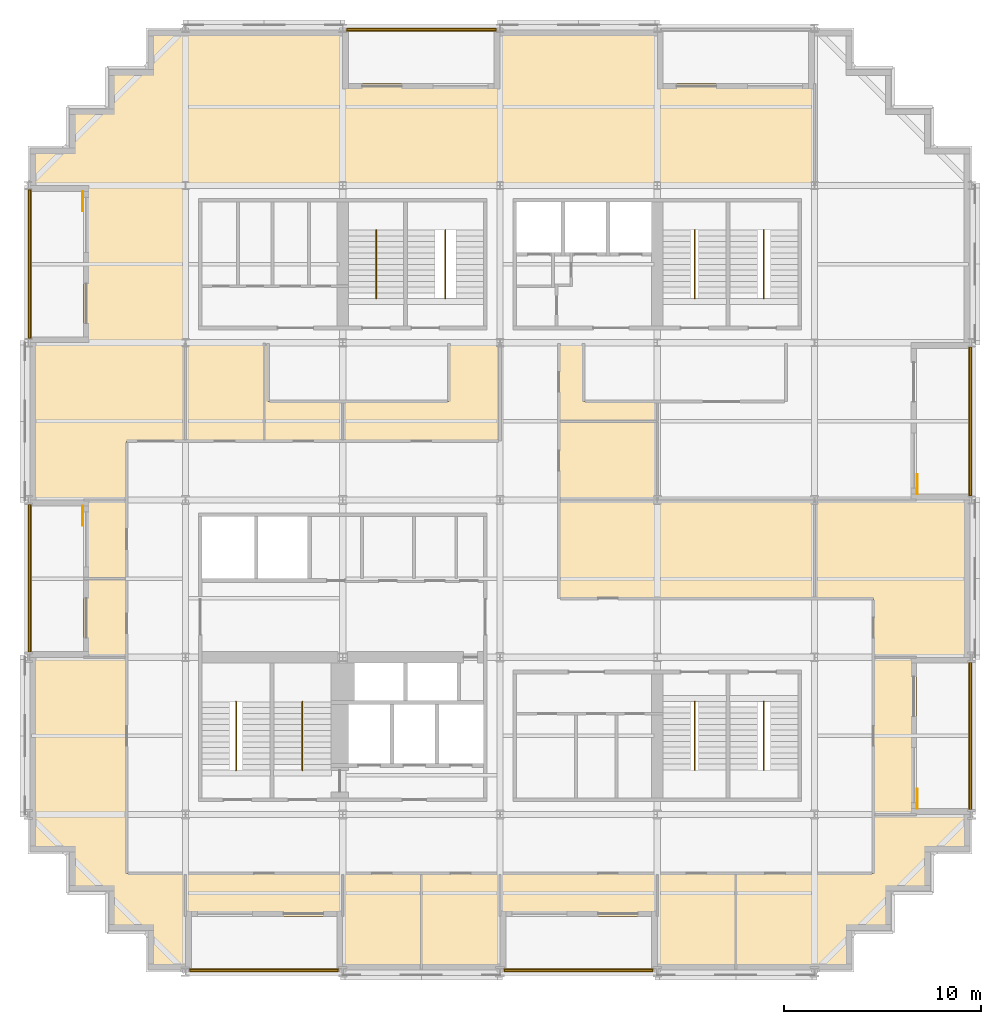
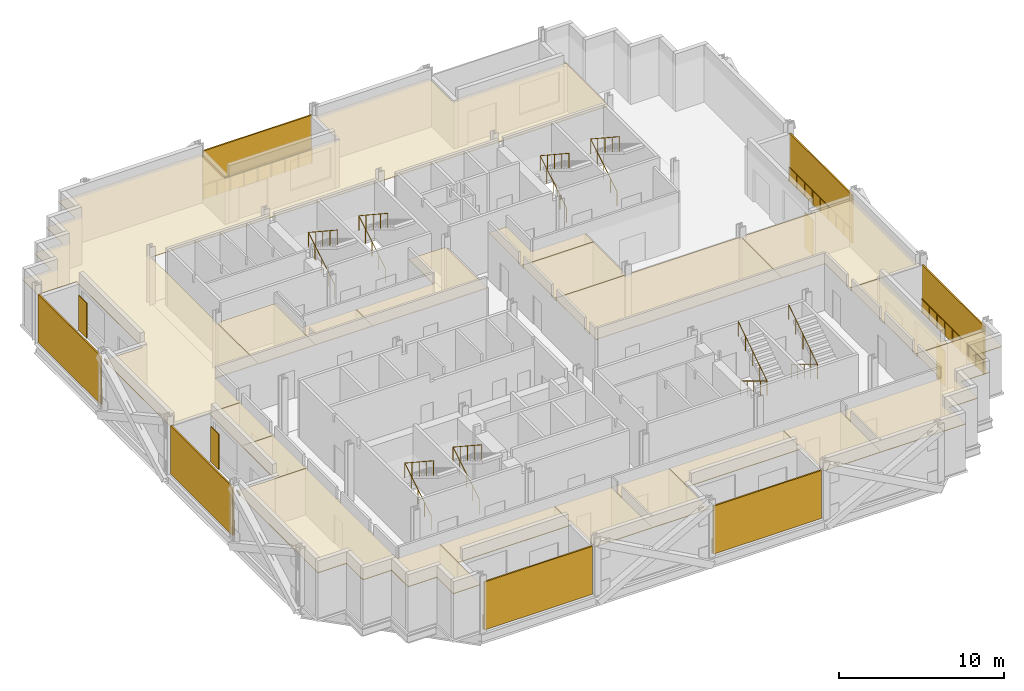
# One storey, part 11 of 12: 18 coverings, 15 railings, 11 shading devices.
"""IFC4 building model written with IfcOpenShell, lengths in metres."""

from ifc_helpers import new_model, si_unit, direction, frame, origin, origin_2d, place, context, subcontext, project, spatial, polyline, rectangle, circle, outline, extrude, material, layer, layer_set, type_object, element, save


model = new_model("IFC4")

# Units and contexts
model_context = context("Model", 3, precision=1e-05, world=origin(), true_north=direction((0.0, 1.0)))
body_context = subcontext(model_context, "Body", "Model", "MODEL_VIEW")
ifc_project = project(units=[si_unit("LENGTHUNIT", "METRE"), si_unit("AREAUNIT", "SQUARE_METRE"), si_unit("VOLUMEUNIT", "CUBIC_METRE"), si_unit("PLANEANGLEUNIT", "RADIAN"), si_unit("MASSUNIT", "GRAM", prefix="KILO")], contexts=[model_context])

# Site, building, storey
site_placement = place(None, origin())
site = spatial("IfcSite", under=ifc_project, at=site_placement, CompositionType="ELEMENT")
building_placement = place(site_placement, origin())
building = spatial("IfcBuilding", under=site, at=building_placement, Name="Immortelle Media Tower", CompositionType="ELEMENT")
storey_placement = place(building_placement, frame((0.0, 0.0, 52.39990234375)))
storey = spatial("IfcBuildingStorey", under=building, at=storey_placement, Name="L08", CompositionType="ELEMENT", Elevation=52.39990234375)

# Railings
ifc_material_1 = material(Name="Powder-coated aluminium fretwork panel, laminated glass backing", Category="aluminium")
railing_type_1 = type_object("IfcRailingType", Name="Fretwork balustrade 1100", PredefinedType="BALUSTRADE", material=ifc_material_1)
railing_1_placement = place(storey_placement, frame((0.139892578125, 39.79150390625, 0.0)))
element("IfcRailing", 1, at=railing_1_placement, inside=storey, type_object=railing_type_1, Name="Fretwork balustrade L08 W0", PredefinedType="BALUSTRADE", context=body_context, shape_type="SweptSolid", body=[
    extrude(circle(Radius=0.02490234375, at=origin_2d()), frame((0.0, 0.0, 1.0751953125), z_axis=(0.0, -1.0, 0.0), x_axis=(1.0, 0.0, 0.0)), (0.0, 0.0, 1.0), 7.574462890625),
    extrude(circle(Radius=0.02001953125, at=origin_2d()), origin(), (0.0, 0.0, 1.0), 1.050048828125),
    extrude(circle(Radius=0.02001953125, at=origin_2d()), frame((0.0, -0.94677734375, 0.0)), (0.0, 0.0, 1.0), 1.050048828125),
    extrude(circle(Radius=0.02001953125, at=origin_2d()), frame((0.0, -1.8935546875, 0.0)), (0.0, 0.0, 1.0), 1.050048828125),
    extrude(circle(Radius=0.02001953125, at=origin_2d()), frame((0.0, -2.84033203125, 0.0)), (0.0, 0.0, 1.0), 1.050048828125),
    extrude(circle(Radius=0.02001953125, at=origin_2d()), frame((0.0, -3.787109375, 0.0)), (0.0, 0.0, 1.0), 1.050048828125),
    extrude(circle(Radius=0.02001953125, at=origin_2d()), frame((0.0, -4.734130859375, 0.0)), (0.0, 0.0, 1.0), 1.050048828125),
    extrude(circle(Radius=0.02001953125, at=origin_2d()), frame((0.0, -5.680908203125, 0.0)), (0.0, 0.0, 1.0), 1.050048828125),
    extrude(circle(Radius=0.02001953125, at=origin_2d()), frame((0.0, -6.627685546875, 0.0)), (0.0, 0.0, 1.0), 1.050048828125),
    extrude(circle(Radius=0.02001953125, at=origin_2d()), frame((0.0, -7.574462890625, 0.0)), (0.0, 0.0, 1.0), 1.050048828125),
])
railing_2_placement = place(storey_placement, frame((0.139892578125, 23.782958984375, 0.0)))
element("IfcRailing", 2, at=railing_2_placement, inside=storey, type_object=railing_type_1, Name="Fretwork balustrade L08 W2", PredefinedType="BALUSTRADE", context=body_context, shape_type="SweptSolid", body=[
    extrude(circle(Radius=0.02490234375, at=origin_2d()), frame((0.0, 0.0, 1.0751953125), z_axis=(0.0, -1.0, 0.0), x_axis=(1.0, 0.0, 0.0)), (0.0, 0.0, 1.0), 7.517578125),
    extrude(circle(Radius=0.02001953125, at=origin_2d()), origin(), (0.0, 0.0, 1.0), 1.050048828125),
    extrude(circle(Radius=0.02001953125, at=origin_2d()), frame((0.0, -0.939697265625, 0.0)), (0.0, 0.0, 1.0), 1.050048828125),
    extrude(circle(Radius=0.02001953125, at=origin_2d()), frame((0.0, -1.87939453125, 0.0)), (0.0, 0.0, 1.0), 1.050048828125),
    extrude(circle(Radius=0.02001953125, at=origin_2d()), frame((0.0, -2.819091796875, 0.0)), (0.0, 0.0, 1.0), 1.050048828125),
    extrude(circle(Radius=0.02001953125, at=origin_2d()), frame((0.0, -3.7587890625, 0.0)), (0.0, 0.0, 1.0), 1.050048828125),
    extrude(circle(Radius=0.02001953125, at=origin_2d()), frame((0.0, -4.698486328125, 0.0)), (0.0, 0.0, 1.0), 1.050048828125),
    extrude(circle(Radius=0.02001953125, at=origin_2d()), frame((0.0, -5.63818359375, 0.0)), (0.0, 0.0, 1.0), 1.050048828125),
    extrude(circle(Radius=0.02001953125, at=origin_2d()), frame((0.0, -6.577880859375, 0.0)), (0.0, 0.0, 1.0), 1.050048828125),
    extrude(circle(Radius=0.02001953125, at=origin_2d()), frame((0.0, -7.517578125, 0.0)), (0.0, 0.0, 1.0), 1.050048828125),
])
railing_3_placement = place(storey_placement, frame((8.216064453125, 0.139892578125, 0.0)))
element("IfcRailing", 3, at=railing_3_placement, inside=storey, type_object=railing_type_1, Name="Fretwork balustrade L08 S0", PredefinedType="BALUSTRADE", context=body_context, shape_type="SweptSolid", body=[
    extrude(circle(Radius=0.02490234375, at=origin_2d()), frame((0.0, 0.0, 1.0751953125), z_axis=(1.0, 0.0, 0.0), x_axis=(0.0, 1.0, 0.0)), (0.0, 0.0, 1.0), 7.56298828125),
    extrude(circle(Radius=0.02001953125, at=origin_2d()), origin(), (0.0, 0.0, 1.0), 1.050048828125),
    extrude(circle(Radius=0.02001953125, at=origin_2d()), frame((0.9453125, 0.0, 0.0)), (0.0, 0.0, 1.0), 1.050048828125),
    extrude(circle(Radius=0.02001953125, at=origin_2d()), frame((1.890625, 0.0, 0.0)), (0.0, 0.0, 1.0), 1.050048828125),
    extrude(circle(Radius=0.02001953125, at=origin_2d()), frame((2.836181640625, 0.0, 0.0)), (0.0, 0.0, 1.0), 1.050048828125),
    extrude(circle(Radius=0.02001953125, at=origin_2d()), frame((3.781494140625, 0.0, 0.0)), (0.0, 0.0, 1.0), 1.050048828125),
    extrude(circle(Radius=0.02001953125, at=origin_2d()), frame((4.726806640625, 0.0, 0.0)), (0.0, 0.0, 1.0), 1.050048828125),
    extrude(circle(Radius=0.02001953125, at=origin_2d()), frame((5.67236328125, 0.0, 0.0)), (0.0, 0.0, 1.0), 1.050048828125),
    extrude(circle(Radius=0.02001953125, at=origin_2d()), frame((6.61767578125, 0.0, 0.0)), (0.0, 0.0, 1.0), 1.050048828125),
    extrude(circle(Radius=0.02001953125, at=origin_2d()), frame((7.56298828125, 0.0, 0.0)), (0.0, 0.0, 1.0), 1.050048828125),
])
railing_4_placement = place(storey_placement, frame((24.220947265625, 0.139892578125, 0.0)))
element("IfcRailing", 4, at=railing_4_placement, inside=storey, type_object=railing_type_1, Name="Fretwork balustrade L08 S2", PredefinedType="BALUSTRADE", context=body_context, shape_type="SweptSolid", body=[
    extrude(circle(Radius=0.02490234375, at=origin_2d()), frame((0.0, 0.0, 1.0751953125), z_axis=(1.0, 0.0, 0.0), x_axis=(0.0, 1.0, 0.0)), (0.0, 0.0, 1.0), 7.55810546875),
    extrude(circle(Radius=0.02001953125, at=origin_2d()), origin(), (0.0, 0.0, 1.0), 1.050048828125),
    extrude(circle(Radius=0.02001953125, at=origin_2d()), frame((0.94482421875, 0.0, 0.0)), (0.0, 0.0, 1.0), 1.050048828125),
    extrude(circle(Radius=0.02001953125, at=origin_2d()), frame((1.8896484375, 0.0, 0.0)), (0.0, 0.0, 1.0), 1.050048828125),
    extrude(circle(Radius=0.02001953125, at=origin_2d()), frame((2.834228515625, 0.0, 0.0)), (0.0, 0.0, 1.0), 1.050048828125),
    extrude(circle(Radius=0.02001953125, at=origin_2d()), frame((3.779052734375, 0.0, 0.0)), (0.0, 0.0, 1.0), 1.050048828125),
    extrude(circle(Radius=0.02001953125, at=origin_2d()), frame((4.723876953125, 0.0, 0.0)), (0.0, 0.0, 1.0), 1.050048828125),
    extrude(circle(Radius=0.02001953125, at=origin_2d()), frame((5.66845703125, 0.0, 0.0)), (0.0, 0.0, 1.0), 1.050048828125),
    extrude(circle(Radius=0.02001953125, at=origin_2d()), frame((6.61328125, 0.0, 0.0)), (0.0, 0.0, 1.0), 1.050048828125),
    extrude(circle(Radius=0.02001953125, at=origin_2d()), frame((7.55810546875, 0.0, 0.0)), (0.0, 0.0, 1.0), 1.050048828125),
])
railing_5_placement = place(storey_placement, frame((47.860107421875, 8.2490234375, 0.0)))
element("IfcRailing", 5, at=railing_5_placement, inside=storey, type_object=railing_type_1, Name="Fretwork balustrade L08 E0", PredefinedType="BALUSTRADE", context=body_context, shape_type="SweptSolid", body=[
    extrude(circle(Radius=0.02490234375, at=origin_2d()), frame((0.0, 0.0, 1.0751953125), z_axis=(0.0, 1.0, 0.0), x_axis=(-1.0, 0.0, 0.0)), (0.0, 0.0, 1.0), 7.485595703125),
    extrude(circle(Radius=0.02001953125, at=origin_2d()), origin(), (0.0, 0.0, 1.0), 1.050048828125),
    extrude(circle(Radius=0.02001953125, at=origin_2d()), frame((0.0, 0.935791015625, 0.0)), (0.0, 0.0, 1.0), 1.050048828125),
    extrude(circle(Radius=0.02001953125, at=origin_2d()), frame((0.0, 1.871337890625, 0.0)), (0.0, 0.0, 1.0), 1.050048828125),
    extrude(circle(Radius=0.02001953125, at=origin_2d()), frame((0.0, 2.80712890625, 0.0)), (0.0, 0.0, 1.0), 1.050048828125),
    extrude(circle(Radius=0.02001953125, at=origin_2d()), frame((0.0, 3.74267578125, 0.0)), (0.0, 0.0, 1.0), 1.050048828125),
    extrude(circle(Radius=0.02001953125, at=origin_2d()), frame((0.0, 4.678466796875, 0.0)), (0.0, 0.0, 1.0), 1.050048828125),
    extrude(circle(Radius=0.02001953125, at=origin_2d()), frame((0.0, 5.6142578125, 0.0)), (0.0, 0.0, 1.0), 1.050048828125),
    extrude(circle(Radius=0.02001953125, at=origin_2d()), frame((0.0, 6.5498046875, 0.0)), (0.0, 0.0, 1.0), 1.050048828125),
    extrude(circle(Radius=0.02001953125, at=origin_2d()), frame((0.0, 7.485595703125, 0.0)), (0.0, 0.0, 1.0), 1.050048828125),
])
railing_6_placement = place(storey_placement, frame((47.860107421875, 24.20849609375, 0.0)))
element("IfcRailing", 6, at=railing_6_placement, inside=storey, type_object=railing_type_1, Name="Fretwork balustrade L08 E2", PredefinedType="BALUSTRADE", context=body_context, shape_type="SweptSolid", body=[
    extrude(circle(Radius=0.02490234375, at=origin_2d()), frame((0.0, 0.0, 1.0751953125), z_axis=(0.0, 1.0, 0.0), x_axis=(-1.0, 0.0, 0.0)), (0.0, 0.0, 1.0), 7.5830078125),
    extrude(circle(Radius=0.02001953125, at=origin_2d()), origin(), (0.0, 0.0, 1.0), 1.050048828125),
    extrude(circle(Radius=0.02001953125, at=origin_2d()), frame((0.0, 0.94775390625, 0.0)), (0.0, 0.0, 1.0), 1.050048828125),
    extrude(circle(Radius=0.02001953125, at=origin_2d()), frame((0.0, 1.895751953125, 0.0)), (0.0, 0.0, 1.0), 1.050048828125),
    extrude(circle(Radius=0.02001953125, at=origin_2d()), frame((0.0, 2.84375, 0.0)), (0.0, 0.0, 1.0), 1.050048828125),
    extrude(circle(Radius=0.02001953125, at=origin_2d()), frame((0.0, 3.79150390625, 0.0)), (0.0, 0.0, 1.0), 1.050048828125),
    extrude(circle(Radius=0.02001953125, at=origin_2d()), frame((0.0, 4.7392578125, 0.0)), (0.0, 0.0, 1.0), 1.050048828125),
    extrude(circle(Radius=0.02001953125, at=origin_2d()), frame((0.0, 5.687255859375, 0.0)), (0.0, 0.0, 1.0), 1.050048828125),
    extrude(circle(Radius=0.02001953125, at=origin_2d()), frame((0.0, 6.63525390625, 0.0)), (0.0, 0.0, 1.0), 1.050048828125),
    extrude(circle(Radius=0.02001953125, at=origin_2d()), frame((0.0, 7.5830078125, 0.0)), (0.0, 0.0, 1.0), 1.050048828125),
])
railing_7_placement = place(storey_placement, frame((23.797119140625, 47.860107421875, 0.0)))
element("IfcRailing", 7, at=railing_7_placement, inside=storey, type_object=railing_type_1, Name="Fretwork balustrade L08 N2", PredefinedType="BALUSTRADE", context=body_context, shape_type="SweptSolid", body=[
    extrude(circle(Radius=0.02490234375, at=origin_2d()), frame((0.0, 0.0, 1.0751953125), z_axis=(-1.0, 0.0, 0.0), x_axis=(0.0, -1.0, 0.0)), (0.0, 0.0, 1.0), 7.591552734375),
    extrude(circle(Radius=0.02001953125, at=origin_2d()), origin(), (0.0, 0.0, 1.0), 1.050048828125),
    extrude(circle(Radius=0.02001953125, at=origin_2d()), frame((-0.948974609375, 0.0, 0.0)), (0.0, 0.0, 1.0), 1.050048828125),
    extrude(circle(Radius=0.02001953125, at=origin_2d()), frame((-1.89794921875, 0.0, 0.0)), (0.0, 0.0, 1.0), 1.050048828125),
    extrude(circle(Radius=0.02001953125, at=origin_2d()), frame((-2.846923828125, 0.0, 0.0)), (0.0, 0.0, 1.0), 1.050048828125),
    extrude(circle(Radius=0.02001953125, at=origin_2d()), frame((-3.7958984375, 0.0, 0.0)), (0.0, 0.0, 1.0), 1.050048828125),
    extrude(circle(Radius=0.02001953125, at=origin_2d()), frame((-4.74462890625, 0.0, 0.0)), (0.0, 0.0, 1.0), 1.050048828125),
    extrude(circle(Radius=0.02001953125, at=origin_2d()), frame((-5.693603515625, 0.0, 0.0)), (0.0, 0.0, 1.0), 1.050048828125),
    extrude(circle(Radius=0.02001953125, at=origin_2d()), frame((-6.642578125, 0.0, 0.0)), (0.0, 0.0, 1.0), 1.050048828125),
    extrude(circle(Radius=0.02001953125, at=origin_2d()), frame((-7.591552734375, 0.0, 0.0)), (0.0, 0.0, 1.0), 1.050048828125),
])

# Shading devices
ifc_material_2 = material(Name="Pale aluminium louvre blades", Category="aluminium")
ifc_layer_1 = layer(ifc_material_2, 0.10009765625)
ifc_layer_set_1 = layer_set([ifc_layer_1], Name="Pale aluminium louvre blades")
shading_device_type_1 = type_object("IfcShadingDeviceType", Name="Jalousie screen 100", PredefinedType="JALOUSIE", material=ifc_layer_set_1)
shading_device_1_placement = place(storey_placement, frame((0.050048828125, 36.004150390625, 0.0), z_axis=(0.0, 0.0, 1.0), x_axis=(0.0, -1.0, 0.0)))
element("IfcShadingDevice", 8, at=shading_device_1_placement, inside=storey, type_object=shading_device_type_1, Name="Jalousie screen L08 W0", PredefinedType="JALOUSIE", context=body_context, shape_type="SweptSolid", body=[
    extrude(rectangle(XDim=7.574462890625, YDim=0.10009765625, at=origin_2d()), origin(), (0.0, 0.0, 1.0), 3.553955078125),
])
shading_device_2_placement = place(storey_placement, frame((0.050048828125, 20.024169921875, 0.0), z_axis=(0.0, 0.0, 1.0), x_axis=(0.0, -1.0, 0.0)))
element("IfcShadingDevice", 9, at=shading_device_2_placement, inside=storey, type_object=shading_device_type_1, Name="Jalousie screen L08 W2", PredefinedType="JALOUSIE", context=body_context, shape_type="SweptSolid", body=[
    extrude(rectangle(XDim=7.517578125, YDim=0.10009765625, at=origin_2d()), origin(), (0.0, 0.0, 1.0), 3.553955078125),
])
shading_device_3_placement = place(storey_placement, frame((11.99755859375, 0.050048828125, 0.0), z_axis=(0.0, 0.0, 1.0), x_axis=(1.0, 0.0, 0.0)))
element("IfcShadingDevice", 10, at=shading_device_3_placement, inside=storey, type_object=shading_device_type_1, Name="Jalousie screen L08 S0", PredefinedType="JALOUSIE", context=body_context, shape_type="SweptSolid", body=[
    extrude(rectangle(XDim=7.56298828125, YDim=0.10009765625, at=origin_2d()), origin(), (0.0, 0.0, 1.0), 3.553955078125),
])
shading_device_4_placement = place(storey_placement, frame((28.0, 0.050048828125, 0.0), z_axis=(0.0, 0.0, 1.0), x_axis=(1.0, 0.0, 0.0)))
element("IfcShadingDevice", 11, at=shading_device_4_placement, inside=storey, type_object=shading_device_type_1, Name="Jalousie screen L08 S2", PredefinedType="JALOUSIE", context=body_context, shape_type="SweptSolid", body=[
    extrude(rectangle(XDim=7.55810546875, YDim=0.10009765625, at=origin_2d()), origin(), (0.0, 0.0, 1.0), 3.553955078125),
])
shading_device_5_placement = place(storey_placement, frame((47.949951171875, 11.99169921875, 0.0), z_axis=(0.0, 0.0, 1.0), x_axis=(0.0, 1.0, 0.0)))
element("IfcShadingDevice", 12, at=shading_device_5_placement, inside=storey, type_object=shading_device_type_1, Name="Jalousie screen L08 E0", PredefinedType="JALOUSIE", context=body_context, shape_type="SweptSolid", body=[
    extrude(rectangle(XDim=7.485595703125, YDim=0.10009765625, at=origin_2d()), origin(), (0.0, 0.0, 1.0), 3.553955078125),
])
shading_device_6_placement = place(storey_placement, frame((47.949951171875, 28.0, 0.0), z_axis=(0.0, 0.0, 1.0), x_axis=(0.0, 1.0, 0.0)))
element("IfcShadingDevice", 13, at=shading_device_6_placement, inside=storey, type_object=shading_device_type_1, Name="Jalousie screen L08 E2", PredefinedType="JALOUSIE", context=body_context, shape_type="SweptSolid", body=[
    extrude(rectangle(XDim=7.5830078125, YDim=0.10009765625, at=origin_2d()), origin(), (0.0, 0.0, 1.0), 3.553955078125),
])
shading_device_7_placement = place(storey_placement, frame((20.001220703125, 47.949951171875, 0.0), z_axis=(0.0, 0.0, 1.0), x_axis=(-1.0, 0.0, 0.0)))
element("IfcShadingDevice", 14, at=shading_device_7_placement, inside=storey, type_object=shading_device_type_1, Name="Jalousie screen L08 N2", PredefinedType="JALOUSIE", context=body_context, shape_type="SweptSolid", body=[
    extrude(rectangle(XDim=7.591552734375, YDim=0.10009765625, at=origin_2d()), origin(), (0.0, 0.0, 1.0), 3.553955078125),
])
ifc_material_3 = material(Name="Pale aluminium louvre blades in a folding frame", Category="aluminium")
ifc_layer_2 = layer(ifc_material_3, 0.050048828125)
ifc_layer_set_2 = layer_set([ifc_layer_2], Name="Pale aluminium louvre blades in a folding frame")
shading_device_type_2 = type_object("IfcShadingDeviceType", Name="Louvred loggia shutter", PredefinedType="SHUTTER", material=ifc_layer_set_2)
for number, where, z_axis, x_axis, name in (
    (15, (2.77490234375, 39.199951171875, 0.0), (0.0, 0.0, 1.0), (0.0, -1.0, 0.0), "Loggia shutter L08 W0"),
    (16, (2.77490234375, 23.199951171875, 0.0), (0.0, 0.0, 1.0), (0.0, -1.0, 0.0), "Loggia shutter L08 W2"),
    (17, (45.22509765625, 8.800048828125, 0.0), (0.0, 0.0, 1.0), (0.0, 1.0, 0.0), "Loggia shutter L08 E0"),
    (18, (45.22509765625, 24.800048828125, 0.0), (0.0, 0.0, 1.0), (0.0, 1.0, 0.0), "Loggia shutter L08 E2"),
):
    element("IfcShadingDevice", number, at=place(storey_placement, frame(where, z_axis=z_axis, x_axis=x_axis)), inside=storey, type_object=shading_device_type_2, Name=name, PredefinedType="SHUTTER", context=body_context, shape_type="SweptSolid", body=[
        extrude(rectangle(XDim=1.0, YDim=0.050048828125, at=origin_2d()), origin(), (0.0, 0.0, 1.0), 2.60009765625),
    ])

# Railings
ifc_material_4 = material(Name="Stainless steel AISI 316", Category="steel")
railing_type_2 = type_object("IfcRailingType", Name="Stair guard 1100", PredefinedType="GUARDRAIL", material=ifc_material_4)
for number, where, name in (
    (19, (10.574951171875, 10.5400390625, 0.176025390625), "Stair guard SW1"),
    (20, (13.949951171875, 10.5400390625, 0.176025390625), "Stair guard SW2"),
):
    element("IfcRailing", number, at=place(storey_placement, frame(where)), inside=storey, type_object=railing_type_2, Name=name, PredefinedType="GUARDRAIL", context=body_context, shape_type="SweptSolid", body=[
        extrude(circle(Radius=0.02392578125, at=origin_2d()), frame((0.0, 0.0, 1.076171875), z_axis=(0.0, 0.854872504309, 0.518838126371), x_axis=(-1.0, 0.0, 0.0)), (0.0, 0.0, 1.0), 3.7314453125),
        extrude(circle(Radius=0.02392578125, at=origin_2d()), frame((0.0, 3.18994140625, 3.01220703125), z_axis=(0.0, -0.835568629342, 0.549386080693), x_axis=(1.0, 0.0, 0.0)), (0.0, 0.0, 1.0), 4.164794921875),
        extrude(circle(Radius=0.02099609375, at=origin_2d()), origin(), (0.0, 0.0, 1.0), 1.052001953125),
        extrude(circle(Radius=0.02099609375, at=origin_2d()), frame((0.0, 0.79736328125, 0.48388671875)), (0.0, 0.0, 1.0), 1.052001953125),
        extrude(circle(Radius=0.02099609375, at=origin_2d()), frame((0.0, 1.594970703125, 0.968017578125)), (0.0, 0.0, 1.0), 1.052001953125),
        extrude(circle(Radius=0.02099609375, at=origin_2d()), frame((0.0, 2.392578125, 1.4521484375)), (0.0, 0.0, 1.0), 1.052001953125),
        extrude(circle(Radius=0.02099609375, at=origin_2d()), frame((0.0, 3.18994140625, 1.93603515625)), (0.0, 0.0, 1.0), 1.052001953125),
        extrude(circle(Radius=0.02099609375, at=origin_2d()), frame((0.0, 2.31982421875, 2.508056640625)), (0.0, 0.0, 1.0), 1.052001953125),
        extrude(circle(Radius=0.02099609375, at=origin_2d()), frame((0.0, 1.449951171875, 3.080078125)), (0.0, 0.0, 1.0), 1.052001953125),
        extrude(circle(Radius=0.02099609375, at=origin_2d()), frame((0.0, 0.580078125, 3.652099609375)), (0.0, 0.0, 1.0), 1.052001953125),
        extrude(circle(Radius=0.02099609375, at=origin_2d()), frame((0.0, -0.2900390625, 4.22412109375)), (0.0, 0.0, 1.0), 1.052001953125),
    ])
for number, where, name in (
    (21, (33.89990234375, 13.4599609375, 0.176025390625), "Stair guard SE1"),
    (22, (37.425048828125, 13.4599609375, 0.176025390625), "Stair guard SE2"),
):
    element("IfcRailing", number, at=place(storey_placement, frame(where)), inside=storey, type_object=railing_type_2, Name=name, PredefinedType="GUARDRAIL", context=body_context, shape_type="SweptSolid", body=[
        extrude(circle(Radius=0.02392578125, at=origin_2d()), frame((0.0, 0.0, 1.076171875), z_axis=(0.0, -0.854872504309, 0.518838126371), x_axis=(1.0, 0.0, 0.0)), (0.0, 0.0, 1.0), 3.7314453125),
        extrude(circle(Radius=0.02392578125, at=origin_2d()), frame((0.0, -3.18994140625, 3.01220703125), z_axis=(0.0, 0.835568629342, 0.549386080693), x_axis=(-1.0, 0.0, 0.0)), (0.0, 0.0, 1.0), 4.164794921875),
        extrude(circle(Radius=0.02099609375, at=origin_2d()), origin(), (0.0, 0.0, 1.0), 1.052001953125),
        extrude(circle(Radius=0.02099609375, at=origin_2d()), frame((0.0, -0.79736328125, 0.48388671875)), (0.0, 0.0, 1.0), 1.052001953125),
        extrude(circle(Radius=0.02099609375, at=origin_2d()), frame((0.0, -1.594970703125, 0.968017578125)), (0.0, 0.0, 1.0), 1.052001953125),
        extrude(circle(Radius=0.02099609375, at=origin_2d()), frame((0.0, -2.392578125, 1.4521484375)), (0.0, 0.0, 1.0), 1.052001953125),
        extrude(circle(Radius=0.02099609375, at=origin_2d()), frame((0.0, -3.18994140625, 1.93603515625)), (0.0, 0.0, 1.0), 1.052001953125),
        extrude(circle(Radius=0.02099609375, at=origin_2d()), frame((0.0, -2.31982421875, 2.508056640625)), (0.0, 0.0, 1.0), 1.052001953125),
        extrude(circle(Radius=0.02099609375, at=origin_2d()), frame((0.0, -1.449951171875, 3.080078125)), (0.0, 0.0, 1.0), 1.052001953125),
        extrude(circle(Radius=0.02099609375, at=origin_2d()), frame((0.0, -0.580078125, 3.652099609375)), (0.0, 0.0, 1.0), 1.052001953125),
        extrude(circle(Radius=0.02099609375, at=origin_2d()), frame((0.0, 0.2900390625, 4.22412109375)), (0.0, 0.0, 1.0), 1.052001953125),
    ])
for number, where, name in (
    (23, (17.699951171875, 34.5400390625, 0.176025390625), "Stair guard NW1"),
    (24, (21.22509765625, 34.5400390625, 0.176025390625), "Stair guard NW2"),
    (25, (33.89990234375, 34.5400390625, 0.176025390625), "Stair guard NE1"),
    (26, (37.425048828125, 34.5400390625, 0.176025390625), "Stair guard NE2"),
):
    element("IfcRailing", number, at=place(storey_placement, frame(where)), inside=storey, type_object=railing_type_2, Name=name, PredefinedType="GUARDRAIL", context=body_context, shape_type="SweptSolid", body=[
        extrude(circle(Radius=0.02392578125, at=origin_2d()), frame((0.0, 0.0, 1.076171875), z_axis=(0.0, 0.854872504309, 0.518838126371), x_axis=(-1.0, 0.0, 0.0)), (0.0, 0.0, 1.0), 3.7314453125),
        extrude(circle(Radius=0.02392578125, at=origin_2d()), frame((0.0, 3.18994140625, 3.01220703125), z_axis=(0.0, -0.835568629342, 0.549386080693), x_axis=(1.0, 0.0, 0.0)), (0.0, 0.0, 1.0), 4.164794921875),
        extrude(circle(Radius=0.02099609375, at=origin_2d()), origin(), (0.0, 0.0, 1.0), 1.052001953125),
        extrude(circle(Radius=0.02099609375, at=origin_2d()), frame((0.0, 0.79736328125, 0.48388671875)), (0.0, 0.0, 1.0), 1.052001953125),
        extrude(circle(Radius=0.02099609375, at=origin_2d()), frame((0.0, 1.594970703125, 0.968017578125)), (0.0, 0.0, 1.0), 1.052001953125),
        extrude(circle(Radius=0.02099609375, at=origin_2d()), frame((0.0, 2.392578125, 1.4521484375)), (0.0, 0.0, 1.0), 1.052001953125),
        extrude(circle(Radius=0.02099609375, at=origin_2d()), frame((0.0, 3.18994140625, 1.93603515625)), (0.0, 0.0, 1.0), 1.052001953125),
        extrude(circle(Radius=0.02099609375, at=origin_2d()), frame((0.0, 2.31982421875, 2.508056640625)), (0.0, 0.0, 1.0), 1.052001953125),
        extrude(circle(Radius=0.02099609375, at=origin_2d()), frame((0.0, 1.449951171875, 3.080078125)), (0.0, 0.0, 1.0), 1.052001953125),
        extrude(circle(Radius=0.02099609375, at=origin_2d()), frame((0.0, 0.580078125, 3.652099609375)), (0.0, 0.0, 1.0), 1.052001953125),
        extrude(circle(Radius=0.02099609375, at=origin_2d()), frame((0.0, -0.2900390625, 4.22412109375)), (0.0, 0.0, 1.0), 1.052001953125),
    ])

# Coverings
ifc_material_5 = material(Name="Mineral fibre tile ceiling")
ifc_layer_3 = layer(ifc_material_5, 0.050048828125)
ifc_layer_set_3 = layer_set([ifc_layer_3], Name="Mineral fibre tile ceiling")
covering_type = type_object("IfcCoveringType", Name="Suspended ceiling 50", PredefinedType="CEILING", material=ifc_layer_set_3)
covering_1_placement = place(storey_placement, frame((0.0, 0.0, 3.341064453125)))
element("IfcCovering", 27, at=covering_1_placement, inside=storey, type_object=covering_type, Name="Ceiling L08-001", PredefinedType="CEILING", context=body_context, shape_type="SweptSolid", body=[
    extrude(outline(polyline([(16.0, 2.800048828125), (16.0, 5.0), (20.0, 5.0), (20.0, 0.10009765625), (16.0, 0.10009765625), (16.0, 2.800048828125)])), origin(), (0.0, 0.0, 1.0), 0.050048828125),
])
covering_2_placement = place(storey_placement, frame((0.0, 0.0, 3.341064453125)))
element("IfcCovering", 28, at=covering_2_placement, inside=storey, type_object=covering_type, Name="Ceiling L08-002", PredefinedType="CEILING", context=body_context, shape_type="SweptSolid", body=[
    extrude(outline(polyline([(24.0, 5.0), (24.0, 2.800048828125), (24.0, 0.10009765625), (20.0, 0.10009765625), (20.0, 5.0), (24.0, 5.0)])), origin(), (0.0, 0.0, 1.0), 0.050048828125),
])
covering_3_placement = place(storey_placement, frame((0.0, 0.0, 3.341064453125)))
element("IfcCovering", 29, at=covering_3_placement, inside=storey, type_object=covering_type, Name="Ceiling L08-003", PredefinedType="CEILING", context=body_context, shape_type="SweptSolid", body=[
    extrude(outline(polyline([(32.0, 5.0), (36.0, 5.0), (36.0, 0.10009765625), (32.0, 0.10009765625), (32.0, 2.800048828125), (32.0, 5.0)])), origin(), (0.0, 0.0, 1.0), 0.050048828125),
])
covering_4_placement = place(storey_placement, frame((0.0, 0.0, 3.341064453125)))
element("IfcCovering", 30, at=covering_4_placement, inside=storey, type_object=covering_type, Name="Ceiling L08-004", PredefinedType="CEILING", context=body_context, shape_type="SweptSolid", body=[
    extrude(outline(polyline([(40.0, 5.0), (43.0, 5.0), (43.0, 8.0), (45.199951171875, 8.0), (47.89990234375, 8.0), (47.89990234375, 6.10009765625), (45.89990234375, 6.10009765625), (45.89990234375, 4.10009765625), (43.89990234375, 4.10009765625), (43.89990234375, 2.10009765625), (41.89990234375, 2.10009765625), (41.89990234375, 0.10009765625), (40.0, 0.10009765625), (36.0, 0.10009765625), (36.0, 5.0), (40.0, 5.0)])), origin(), (0.0, 0.0, 1.0), 0.050048828125),
])
covering_5_placement = place(storey_placement, frame((0.0, 0.0, 3.341064453125)))
element("IfcCovering", 31, at=covering_5_placement, inside=storey, type_object=covering_type, Name="Ceiling L08-005", PredefinedType="CEILING", context=body_context, shape_type="SweptSolid", body=[
    extrude(outline(polyline([(8.0, 2.800048828125), (8.0, 5.0), (16.0, 5.0), (16.0, 2.800048828125), (8.0, 2.800048828125)])), origin(), (0.0, 0.0, 1.0), 0.050048828125),
])
covering_6_placement = place(storey_placement, frame((0.0, 0.0, 3.341064453125)))
element("IfcCovering", 32, at=covering_6_placement, inside=storey, type_object=covering_type, Name="Ceiling L08-006", PredefinedType="CEILING", context=body_context, shape_type="SweptSolid", body=[
    extrude(outline(polyline([(24.0, 2.800048828125), (24.0, 5.0), (27.0, 5.0), (32.0, 5.0), (32.0, 2.800048828125), (24.0, 2.800048828125)])), origin(), (0.0, 0.0, 1.0), 0.050048828125),
])
covering_7_placement = place(storey_placement, frame((0.0, 0.0, 3.341064453125)))
element("IfcCovering", 33, at=covering_7_placement, inside=storey, type_object=covering_type, Name="Ceiling L08-007", PredefinedType="CEILING", context=body_context, shape_type="SweptSolid", body=[
    extrude(outline(polyline([(4.10009765625, 4.0), (4.10009765625, 4.10009765625), (2.10009765625, 4.10009765625), (2.10009765625, 6.10009765625), (0.10009765625, 6.10009765625), (0.10009765625, 8.0), (0.10009765625, 16.0), (2.800048828125, 16.0), (5.0, 16.0), (5.0, 8.0), (5.0, 5.0), (8.0, 5.0), (8.0, 4.0), (8.0, 2.800048828125), (8.0, 0.10009765625), (6.10009765625, 0.10009765625), (6.10009765625, 2.10009765625), (4.10009765625, 2.10009765625), (4.10009765625, 4.0)])), origin(), (0.0, 0.0, 1.0), 0.050048828125),
])
covering_8_placement = place(storey_placement, frame((0.0, 0.0, 3.341064453125)))
element("IfcCovering", 34, at=covering_8_placement, inside=storey, type_object=covering_type, Name="Ceiling L08-008", PredefinedType="CEILING", context=body_context, shape_type="SweptSolid", body=[
    extrude(outline(polyline([(45.199951171875, 8.0), (43.0, 8.0), (43.0, 16.0), (45.199951171875, 16.0), (45.199951171875, 8.0)])), origin(), (0.0, 0.0, 1.0), 0.050048828125),
])
covering_9_placement = place(storey_placement, frame((0.0, 0.0, 3.341064453125)))
element("IfcCovering", 35, at=covering_9_placement, inside=storey, type_object=covering_type, Name="Ceiling L08-009", PredefinedType="CEILING", context=body_context, shape_type="SweptSolid", body=[
    extrude(outline(polyline([(5.0, 16.0), (2.800048828125, 16.0), (2.800048828125, 20.0), (5.0, 20.0), (5.0, 19.449951171875), (5.0, 16.0)])), origin(), (0.0, 0.0, 1.0), 0.050048828125),
])
covering_10_placement = place(storey_placement, frame((0.0, 0.0, 3.341064453125)))
element("IfcCovering", 36, at=covering_10_placement, inside=storey, type_object=covering_type, Name="Ceiling L08-010", PredefinedType="CEILING", context=body_context, shape_type="SweptSolid", body=[
    extrude(outline(polyline([(2.800048828125, 24.0), (5.0, 24.0), (5.0, 20.0), (2.800048828125, 20.0), (2.800048828125, 24.0)])), origin(), (0.0, 0.0, 1.0), 0.050048828125),
])
covering_11_placement = place(storey_placement, frame((0.0, 0.0, 3.341064453125)))
element("IfcCovering", 37, at=covering_11_placement, inside=storey, type_object=covering_type, Name="Ceiling L08-011", PredefinedType="CEILING", context=body_context, shape_type="SweptSolid", body=[
    extrude(outline(polyline([(45.199951171875, 16.0), (43.0, 16.0), (43.0, 19.0), (40.0, 19.0), (40.0, 24.0), (45.199951171875, 24.0), (47.89990234375, 24.0), (47.89990234375, 16.0), (45.199951171875, 16.0)])), origin(), (0.0, 0.0, 1.0), 0.050048828125),
])
covering_12_placement = place(storey_placement, frame((0.0, 0.0, 3.341064453125)))
element("IfcCovering", 38, at=covering_12_placement, inside=storey, type_object=covering_type, Name="Ceiling L08-012", PredefinedType="CEILING", context=body_context, shape_type="SweptSolid", body=[
    extrude(outline(polyline([(27.0, 19.0), (27.0, 20.300048828125), (27.0, 24.0), (32.0, 24.0), (40.0, 24.0), (40.0, 19.0), (38.550048828125, 19.0), (36.0, 19.0), (32.0, 19.0), (27.0, 19.0)])), origin(), (0.0, 0.0, 1.0), 0.050048828125),
])
covering_13_placement = place(storey_placement, frame((0.0, 0.0, 3.341064453125)))
element("IfcCovering", 39, at=covering_13_placement, inside=storey, type_object=covering_type, Name="Ceiling L08-013", PredefinedType="CEILING", context=body_context, shape_type="SweptSolid", body=[
    extrude(outline(polyline([(27.0, 28.0), (32.0, 28.0), (32.0, 24.0), (27.0, 24.0), (27.0, 28.0)])), origin(), (0.0, 0.0, 1.0), 0.050048828125),
])
covering_14_placement = place(storey_placement, frame((0.0, 0.0, 3.341064453125)))
element("IfcCovering", 40, at=covering_14_placement, inside=storey, type_object=covering_type, Name="Ceiling L08-014", PredefinedType="CEILING", context=body_context, shape_type="SweptSolid", body=[
    extrude(outline(polyline([(27.0, 32.0), (28.25, 32.0), (28.25, 29.0), (32.0, 29.0), (32.0, 28.0), (27.0, 28.0), (27.0, 32.0)])), origin(), (0.0, 0.0, 1.0), 0.050048828125),
])
covering_15_placement = place(storey_placement, frame((0.0, 0.0, 3.341064453125)))
element("IfcCovering", 41, at=covering_15_placement, inside=storey, type_object=covering_type, Name="Ceiling L08-015", PredefinedType="CEILING", context=body_context, shape_type="SweptSolid", body=[
    extrude(outline(polyline([(16.0, 27.0), (16.0, 29.0), (21.39990234375, 29.0), (21.39990234375, 32.0), (24.0, 32.0), (24.0, 27.0), (16.0, 27.0)])), origin(), (0.0, 0.0, 1.0), 0.050048828125),
])
covering_16_placement = place(storey_placement, frame((0.0, 0.0, 3.341064453125)))
element("IfcCovering", 42, at=covering_16_placement, inside=storey, type_object=covering_type, Name="Ceiling L08-016", PredefinedType="CEILING", context=body_context, shape_type="SweptSolid", body=[
    extrude(outline(polyline([(8.0, 32.0), (12.0, 32.0), (12.0, 27.0), (8.0, 27.0), (8.0, 32.0)])), origin(), (0.0, 0.0, 1.0), 0.050048828125),
])
covering_17_placement = place(storey_placement, frame((0.0, 0.0, 3.341064453125)))
element("IfcCovering", 43, at=covering_17_placement, inside=storey, type_object=covering_type, Name="Ceiling L08-017", PredefinedType="CEILING", context=body_context, shape_type="SweptSolid", body=[
    extrude(outline(polyline([(12.199951171875, 32.0), (12.199951171875, 29.0), (16.0, 29.0), (16.0, 27.0), (12.0, 27.0), (12.0, 32.0), (12.199951171875, 32.0)])), origin(), (0.0, 0.0, 1.0), 0.050048828125),
])
covering_18_placement = place(storey_placement, frame((0.0, 0.0, 3.341064453125)))
element("IfcCovering", 44, at=covering_18_placement, inside=storey, type_object=covering_type, Name="Ceiling L08-019", PredefinedType="CEILING", context=body_context, shape_type="SweptSolid", body=[
    extrude(outline(polyline([(2.800048828125, 40.0), (0.10009765625, 40.0), (0.10009765625, 41.89990234375), (2.10009765625, 41.89990234375), (2.10009765625, 43.89990234375), (4.10009765625, 43.89990234375), (4.10009765625, 45.89990234375), (6.10009765625, 45.89990234375), (6.10009765625, 47.89990234375), (8.0, 47.89990234375), (16.0, 47.89990234375), (16.0, 45.199951171875), (24.0, 45.199951171875), (24.0, 47.89990234375), (32.0, 47.89990234375), (32.0, 45.199951171875), (40.0, 45.199951171875), (40.0, 40.0), (32.0, 40.0), (24.0, 40.0), (16.0, 40.0), (8.0, 40.0), (8.0, 32.0), (8.0, 27.0), (5.0, 27.0), (5.0, 24.0), (2.800048828125, 24.0), (0.10009765625, 24.0), (0.10009765625, 32.0), (2.800048828125, 32.0), (2.800048828125, 40.0)])), origin(), (0.0, 0.0, 1.0), 0.050048828125),
])

save(model, "model.ifc")
